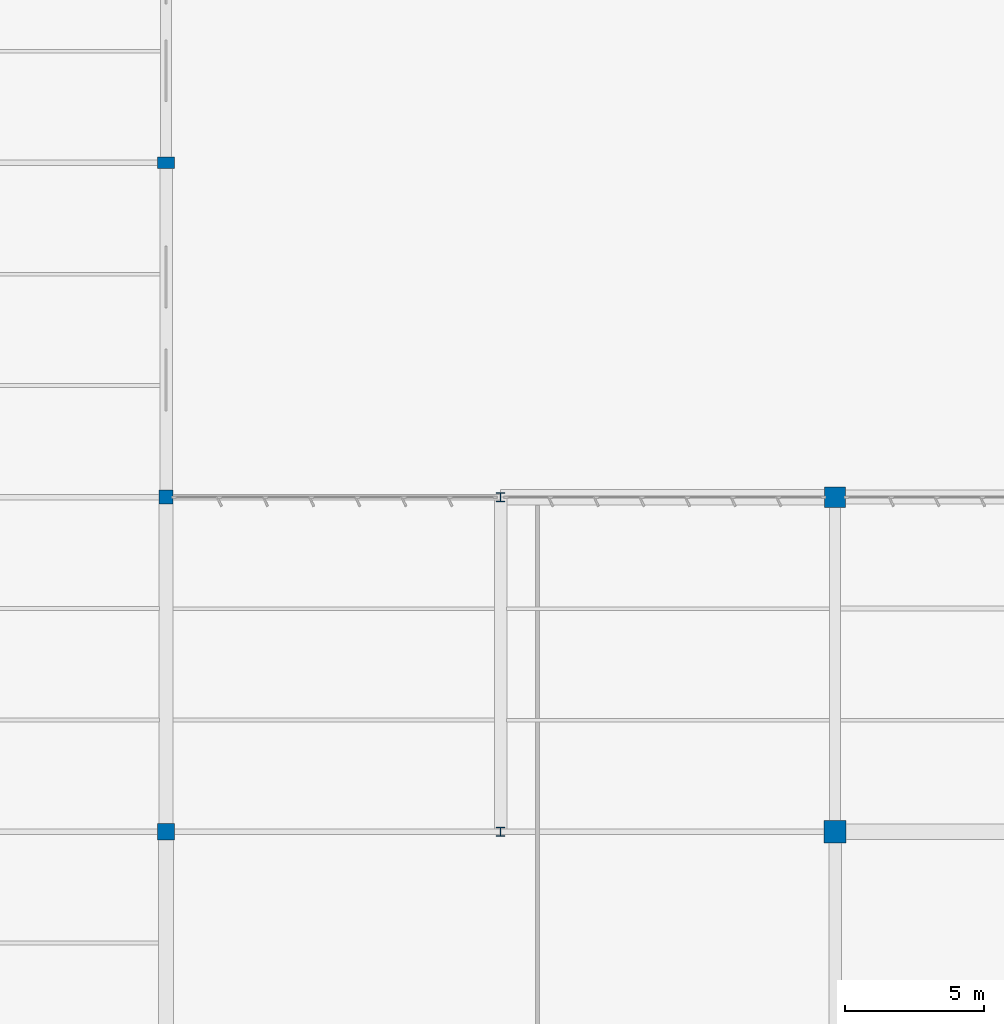
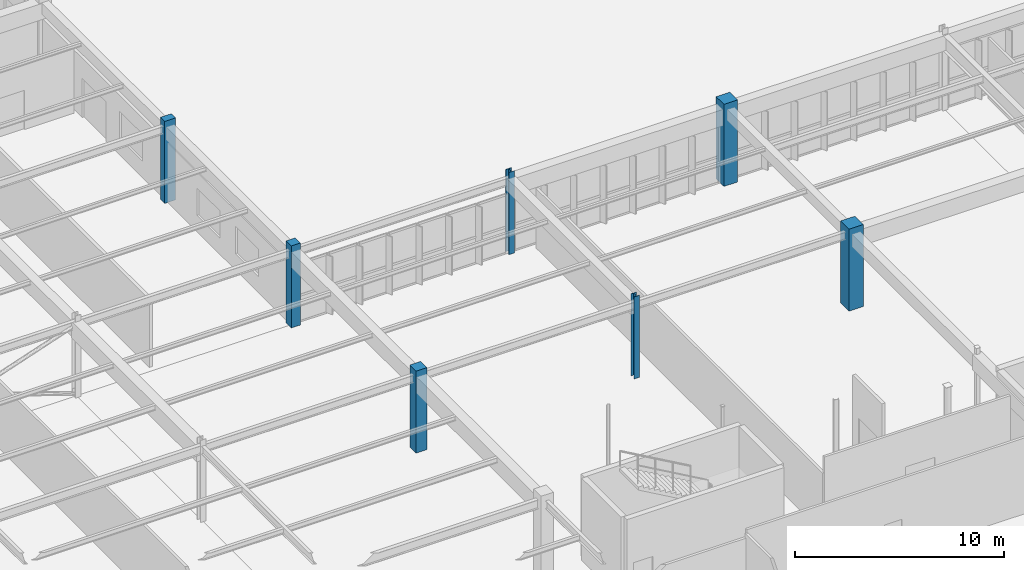
# One storey, part 17 of 199: 7 columns.
"""IFC4 building model written with IfcOpenShell, lengths in metres."""

import ifcopenshell
import ifcopenshell.guid

model = None  # the IFC model being written
_history = None  # IfcOwnerHistory: only IFC2X3 demands one
_inside = {}  # id of a spatial element -> (the spatial element, [elements in it])
_under = {}  # id of a project, library or spatial element -> (it, [spatial elements below it])
_declared = {}  # id of a project -> (the project, [libraries it declares])
_typed = {}  # id of a type object -> (the type object, [elements of that type])
_made_of = {}  # id of a material, layer set ... -> (it, [elements and type objects made of it])


def new_model(schema):
    """Start an empty IFC model of exactly this schema.

    Asked for "IFC4X3", IfcOpenShell would pick the latest addendum, in which some entities
    have other attributes; the version numbers below select the first issue.
    IFC2X3 requires an IfcOwnerHistory on every rooted entity: one is made here for all.
    """
    global model, _history
    if schema == "IFC4X3":
        model = ifcopenshell.file(schema_version=(4, 3, 0, 0))
    else:
        model = ifcopenshell.file(schema=schema)
    _inside.clear()
    _under.clear()
    _declared.clear()
    _typed.clear()
    _made_of.clear()
    _history = None
    if model.schema == "IFC2X3":
        org = make("IfcOrganization", Name="unknown")
        user = make(
            "IfcPersonAndOrganization",
            ThePerson=make("IfcPerson", FamilyName="unknown"),
            TheOrganization=org,
        )
        app = make(
            "IfcApplication",
            ApplicationDeveloper=org,
            Version="unknown",
            ApplicationFullName="unknown",
            ApplicationIdentifier="unknown",
        )
        _history = make(
            "IfcOwnerHistory",
            OwningUser=user,
            OwningApplication=app,
            ChangeAction="ADDED",
            CreationDate=0,
        )
    return model


def make(cls, **values):
    """One entity of the class cls with the attributes given. An attribute that is None is left unset."""
    return model.create_entity(
        cls, **{name: value for name, value in values.items() if value is not None}
    )


def rooted(cls, **values):
    """An entity with a GlobalId (a new one), such as an element, a storey or a relation."""
    return make(cls, GlobalId=ifcopenshell.guid.new(), OwnerHistory=_history, **values)


def si_unit(unit_type, name, prefix=None):
    """IfcSIUnit, for example si_unit("LENGTHUNIT", "METRE", prefix="MILLI")."""
    return make("IfcSIUnit", UnitType=unit_type, Prefix=prefix, Name=name)


def assignment(units):
    """IfcUnitAssignment: the units of a project."""
    return None if units is None else make("IfcUnitAssignment", Units=units)


def point(xyz):
    """IfcCartesianPoint."""
    return None if xyz is None else make("IfcCartesianPoint", Coordinates=xyz)


def direction(xyz):
    """IfcDirection."""
    return None if xyz is None else make("IfcDirection", DirectionRatios=xyz)


def frame(location, z_axis=None, x_axis=None):
    """IfcAxis2Placement3D, a coordinate frame: its origin and axes. An axis left out is left unset."""
    return make(
        "IfcAxis2Placement3D",
        Location=point(location),
        Axis=direction(z_axis),
        RefDirection=direction(x_axis),
    )


def frame_2d(location, x_axis=None):
    """IfcAxis2Placement2D, a coordinate frame in the plane: its origin and x axis."""
    return make(
        "IfcAxis2Placement2D", Location=point(location), RefDirection=direction(x_axis)
    )


def origin():
    """The frame at (0, 0, 0) with its axes left unset."""
    return frame((0.0, 0.0, 0.0))


def origin_2d():
    """The frame at (0, 0) in the plane with its x axis left unset."""
    return frame_2d((0.0, 0.0))


def place(relative_to, where):
    """IfcLocalPlacement: puts the frame where relative to a parent placement (None: the world)."""
    return make(
        "IfcLocalPlacement", PlacementRelTo=relative_to, RelativePlacement=where
    )


def context(
    kind, dimensions, precision=None, world=None, true_north=None, identifier=None
):
    """IfcGeometricRepresentationContext, for example the 3D "Model" context."""
    return make(
        "IfcGeometricRepresentationContext",
        ContextIdentifier=identifier,
        ContextType=kind,
        CoordinateSpaceDimension=dimensions,
        Precision=precision,
        WorldCoordinateSystem=world,
        TrueNorth=true_north,
    )


def subcontext(parent, identifier, kind, view, scale=None):
    """IfcGeometricRepresentationSubContext, for example "Body" below "Model"."""
    return make(
        "IfcGeometricRepresentationSubContext",
        ContextIdentifier=identifier,
        ContextType=kind,
        ParentContext=parent,
        TargetScale=scale,
        TargetView=view,
    )


def project(units=None, contexts=None):
    """IfcProject with its units and contexts."""
    return rooted(
        "IfcProject",
        Name="project",
        RepresentationContexts=contexts,
        UnitsInContext=assignment(units),
    )


def spatial(cls, under=None, at=None, **own):
    """A site, building, storey or space (cls), placed at a placement, below another one or the project."""
    s = rooted(cls, ObjectPlacement=at, **own)
    if under is not None:
        _under.setdefault(under.id(), (under, []))[1].append(s)
    return s


def profile(cls, at=None, kind="AREA", **sizes):
    """A parametric profile (cls). Its sizes go by their IFC names, for example OverallWidth=200.0."""
    return make(cls, ProfileType=kind, Position=at, **sizes)


def rectangle(**sizes):
    """IfcRectangleProfileDef."""
    return profile("IfcRectangleProfileDef", **sizes)


def i_section(**sizes):
    """IfcIShapeProfileDef."""
    return profile("IfcIShapeProfileDef", **sizes)


def extrude(swept, where, along, depth):
    """IfcExtrudedAreaSolid: the profile swept, set in the frame where, extruded along a direction by depth."""
    return make(
        "IfcExtrudedAreaSolid",
        SweptArea=swept,
        Position=where,
        ExtrudedDirection=direction(along),
        Depth=depth,
    )


def shape(context_of_items, identifier, shape_type, items):
    """IfcShapeRepresentation: the items that make up one representation, for example the "Body"."""
    return make(
        "IfcShapeRepresentation",
        ContextOfItems=context_of_items,
        RepresentationIdentifier=identifier,
        RepresentationType=shape_type,
        Items=items,
    )


def material(Name=None, Category=None):
    """IfcMaterial."""
    return make("IfcMaterial", Name=Name, Category=Category)


def material_profile(
    of_material, cross_section, Name=None, Category=None, Priority=None
):
    """IfcMaterialProfile: a cross section and its material."""
    return make(
        "IfcMaterialProfile",
        Name=Name,
        Material=of_material,
        Profile=cross_section,
        Priority=Priority,
        Category=Category,
    )


def profile_set(profiles, Name=None, composite=None):
    """IfcMaterialProfileSet."""
    return make(
        "IfcMaterialProfileSet",
        Name=Name,
        MaterialProfiles=profiles,
        CompositeProfile=composite,
    )


def made_of(thing, what):
    """Note that an element or type object is made of a material, layer set ...; save() writes the relation."""
    if what is not None:
        _made_of.setdefault(what.id(), (what, []))[1].append(thing)
    return thing


def type_object(cls, material=None, **own):
    """A type object (cls), such as IfcWallType, which elements share."""
    return made_of(rooted(cls, **own), material)


def element(
    cls,
    number,
    at=None,
    inside=None,
    cuts=None,
    type_object=None,
    material=None,
    context=None,
    identifier="Body",
    shape_type=None,
    held_by="IfcProductDefinitionShape",
    body=None,
    shapes=None,
    **own,
):
    """One element of the class cls, such as IfcWall. Its Tag is "e" and its number.

    at: its placement. inside: the storey or other place that contains it. cuts: it is an
    opening in that element (IfcRelVoidsElement). A single representation is given by context,
    identifier, shape_type and body (its items); several are given by shapes. held_by: the class
    of the entity that holds the representations. save() writes the other relations.
    """
    e = rooted(cls, Tag="e%d" % number, ObjectPlacement=at, **own)
    if body is not None:
        shapes = [shape(context, identifier, shape_type, body)]
    if shapes is not None:
        e.Representation = make(held_by, Representations=shapes)
    if inside is not None:
        _inside.setdefault(inside.id(), (inside, []))[1].append(e)
    if cuts is not None:
        rooted(
            "IfcRelVoidsElement", RelatingBuildingElement=cuts, RelatedOpeningElement=e
        )
    if type_object is not None:
        _typed.setdefault(type_object.id(), (type_object, []))[1].append(e)
    return made_of(e, material)


def aggregate(whole, parts):
    """IfcRelAggregates: a whole, such as a stair, and the parts it consists of."""
    return rooted("IfcRelAggregates", RelatingObject=whole, RelatedObjects=parts)


def save(model, path):
    """Write the relations noted so far, then the file.

    IfcRelAggregates (storeys below a building ...), IfcRelContainedInSpatialStructure (elements
    in a storey), IfcRelDefinesByType, IfcRelAssociatesMaterial and IfcRelDeclares: one each for
    every whole, place, type object, material and project.
    """
    for whole, parts in _under.values():
        aggregate(whole, parts)
    for where, things in _inside.values():
        rooted(
            "IfcRelContainedInSpatialStructure",
            RelatedElements=things,
            RelatingStructure=where,
        )
    for kind, things in _typed.values():
        rooted("IfcRelDefinesByType", RelatedObjects=things, RelatingType=kind)
    for what, things in _made_of.values():
        rooted("IfcRelAssociatesMaterial", RelatedObjects=things, RelatingMaterial=what)
    for by, libraries in _declared.values():
        rooted("IfcRelDeclares", RelatingContext=by, RelatedDefinitions=libraries)
    model.write(path)


model = new_model("IFC4")

# Units and contexts
model_context = context("Model", 3, precision=1e-05, world=origin(), true_north=direction((0.0, 1.0)))
body_context = subcontext(model_context, "Body", "Model", "MODEL_VIEW")
ifc_project = project(units=[si_unit("LENGTHUNIT", "METRE"), si_unit("AREAUNIT", "SQUARE_METRE"), si_unit("VOLUMEUNIT", "CUBIC_METRE"), si_unit("PLANEANGLEUNIT", "RADIAN"), si_unit("MASSUNIT", "GRAM", prefix="KILO")], contexts=[model_context])

# Site, building, storey
site_placement = place(None, origin())
site = spatial("IfcSite", under=ifc_project, at=site_placement, CompositionType="ELEMENT")
building_placement = place(site_placement, origin())
building = spatial("IfcBuilding", under=site, at=building_placement, Name="Tarnwether General Hospital", CompositionType="ELEMENT")
storey_placement = place(building_placement, origin())
storey = spatial("IfcBuildingStorey", under=building, at=storey_placement, Name="L00", CompositionType="ELEMENT", Elevation=0.0)

# Columns
ifc_material_1 = material(Name="Steel Grade 350 (350 MPa)", Category="steel")
ifc_material_profile_1 = material_profile(ifc_material_1, i_section(OverallWidth=0.30908203125, OverallDepth=0.321044921875, WebThickness=0.013916015625, FlangeThickness=0.021728515625, at=origin_2d()), Name="310UC137")
ifc_profile_set_1 = profile_set([ifc_material_profile_1], Name="Steel Grade 350 (350 MPa)")
column_type_1 = type_object("IfcColumnType", Name="COL-06", PredefinedType="COLUMN", material=ifc_profile_set_1)
column_1_placement = place(storey_placement, frame((72.0, 33.60009765625, 0.0), z_axis=(0.0, 0.0, 1.0), x_axis=(1.0, 0.0, 0.0)))
element("IfcColumn", 1, at=column_1_placement, inside=storey, type_object=column_type_1, Name="Column COLG-L00-7200_3360", PredefinedType="COLUMN", context=body_context, shape_type="SweptSolid", body=[
    extrude(i_section(OverallWidth=0.30908203125, OverallDepth=0.321044921875, WebThickness=0.013916015625, FlangeThickness=0.021728515625, at=origin_2d()), origin(), (0.0, 0.0, 1.0), 4.800048828125),
])
ifc_material_2 = material(Name="Steel Grade 350 (350 MPa)", Category="steel")
ifc_material_profile_2 = material_profile(ifc_material_2, i_section(OverallWidth=0.306884765625, OverallDepth=0.31494140625, WebThickness=0.011962890625, FlangeThickness=0.018798828125, at=origin_2d()), Name="310UC118")
ifc_profile_set_2 = profile_set([ifc_material_profile_2], Name="Steel Grade 350 (350 MPa)")
column_type_2 = type_object("IfcColumnType", Name="COL-07", PredefinedType="COLUMN", material=ifc_profile_set_2)
column_2_placement = place(storey_placement, frame((72.0, 45.60009765625, 0.0), z_axis=(0.0, 0.0, 1.0), x_axis=(1.0, 0.0, 0.0)))
element("IfcColumn", 2, at=column_2_placement, inside=storey, type_object=column_type_2, Name="Column COLG-L00-7200_4560", PredefinedType="COLUMN", context=body_context, shape_type="SweptSolid", body=[
    extrude(i_section(OverallWidth=0.306884765625, OverallDepth=0.31494140625, WebThickness=0.011962890625, FlangeThickness=0.018798828125, at=origin_2d()), origin(), (0.0, 0.0, 1.0), 4.800048828125),
])
ifc_material_3 = material(Name="Concrete 50 MPa", Category="concrete")
ifc_material_profile_3 = material_profile(ifc_material_3, rectangle(XDim=0.800048828125, YDim=0.800048828125, at=origin_2d()), Name="RC-COL-800x800")
ifc_profile_set_3 = profile_set([ifc_material_profile_3], Name="Concrete 50 MPa")
column_type_3 = type_object("IfcColumnType", Name="COL-16", PredefinedType="COLUMN", material=ifc_profile_set_3)
column_3_placement = place(storey_placement, frame((84.0, 33.60009765625, 0.0), z_axis=(0.0, 0.0, 1.0), x_axis=(0.0, 1.0, 0.0)))
element("IfcColumn", 3, at=column_3_placement, inside=storey, type_object=column_type_3, Name="Column COLG-L00-8400_3360", PredefinedType="COLUMN", context=body_context, shape_type="SweptSolid", body=[
    extrude(rectangle(XDim=0.800048828125, YDim=0.800048828125, at=origin_2d()), origin(), (0.0, 0.0, 1.0), 4.800048828125),
])
ifc_material_4 = material(Name="Concrete 50 MPa", Category="concrete")
ifc_material_profile_4 = material_profile(ifc_material_4, rectangle(XDim=0.75, YDim=0.75, at=origin_2d()), Name="RC-COL-750x750")
ifc_profile_set_4 = profile_set([ifc_material_profile_4], Name="Concrete 50 MPa")
column_type_4 = type_object("IfcColumnType", Name="COL-17", PredefinedType="COLUMN", material=ifc_profile_set_4)
column_4_placement = place(storey_placement, frame((84.0, 45.60009765625, 0.0), z_axis=(0.0, 0.0, 1.0), x_axis=(0.0, 1.0, 0.0)))
element("IfcColumn", 4, at=column_4_placement, inside=storey, type_object=column_type_4, Name="Column COLG-L00-8400_4560", PredefinedType="COLUMN", context=body_context, shape_type="SweptSolid", body=[
    extrude(rectangle(XDim=0.75, YDim=0.75, at=origin_2d()), origin(), (0.0, 0.0, 1.0), 4.800048828125),
])
ifc_material_5 = material(Name="Concrete 50 MPa", Category="concrete")
ifc_material_profile_5 = material_profile(ifc_material_5, rectangle(XDim=0.60009765625, YDim=0.60009765625, at=origin_2d()), Name="RC-COL-600x600")
ifc_profile_set_5 = profile_set([ifc_material_profile_5], Name="Concrete 50 MPa")
column_type_5 = type_object("IfcColumnType", Name="COL-19", PredefinedType="COLUMN", material=ifc_profile_set_5)
column_5_placement = place(storey_placement, frame((60.0, 33.60009765625, 0.0), z_axis=(0.0, 0.0, 1.0), x_axis=(0.0, 1.0, 0.0)))
element("IfcColumn", 5, at=column_5_placement, inside=storey, type_object=column_type_5, Name="Column COLG-L00-6000_3360", PredefinedType="COLUMN", context=body_context, shape_type="SweptSolid", body=[
    extrude(rectangle(XDim=0.60009765625, YDim=0.60009765625, at=origin_2d()), origin(), (0.0, 0.0, 1.0), 4.800048828125),
])
ifc_material_6 = material(Name="Concrete 50 MPa", Category="concrete")
ifc_material_profile_6 = material_profile(ifc_material_6, rectangle(XDim=0.5, YDim=0.5, at=origin_2d()), Name="RC-COL-500x500")
ifc_profile_set_6 = profile_set([ifc_material_profile_6], Name="Concrete 50 MPa")
column_type_6 = type_object("IfcColumnType", Name="COL-20", PredefinedType="COLUMN", material=ifc_profile_set_6)
column_6_placement = place(storey_placement, frame((60.0, 45.60009765625, 0.0), z_axis=(0.0, 0.0, 1.0), x_axis=(0.0, 1.0, 0.0)))
element("IfcColumn", 6, at=column_6_placement, inside=storey, type_object=column_type_6, Name="Column COLG-L00-6000_4560", PredefinedType="COLUMN", context=body_context, shape_type="SweptSolid", body=[
    extrude(rectangle(XDim=0.5, YDim=0.5, at=origin_2d()), origin(), (0.0, 0.0, 1.0), 4.800048828125),
])
ifc_material_7 = material(Name="Concrete 50 MPa", Category="concrete")
ifc_material_profile_7 = material_profile(ifc_material_7, rectangle(XDim=0.39990234375, YDim=0.60009765625, at=origin_2d()), Name="RC-PIL-400x600")
ifc_profile_set_7 = profile_set([ifc_material_profile_7], Name="Concrete 50 MPa")
column_type_7 = type_object("IfcColumnType", Name="COL-21", PredefinedType="PILASTER", material=ifc_profile_set_7)
column_7_placement = place(storey_placement, frame((60.0, 57.60009765625, 0.0), z_axis=(0.0, 0.0, 1.0), x_axis=(0.0, 1.0, 0.0)))
element("IfcColumn", 7, at=column_7_placement, inside=storey, type_object=column_type_7, Name="Column COLG-L00-6000_5760", PredefinedType="PILASTER", context=body_context, shape_type="SweptSolid", body=[
    extrude(rectangle(XDim=0.39990234375, YDim=0.60009765625, at=origin_2d()), origin(), (0.0, 0.0, 1.0), 4.800048828125),
])

save(model, "model.ifc")
